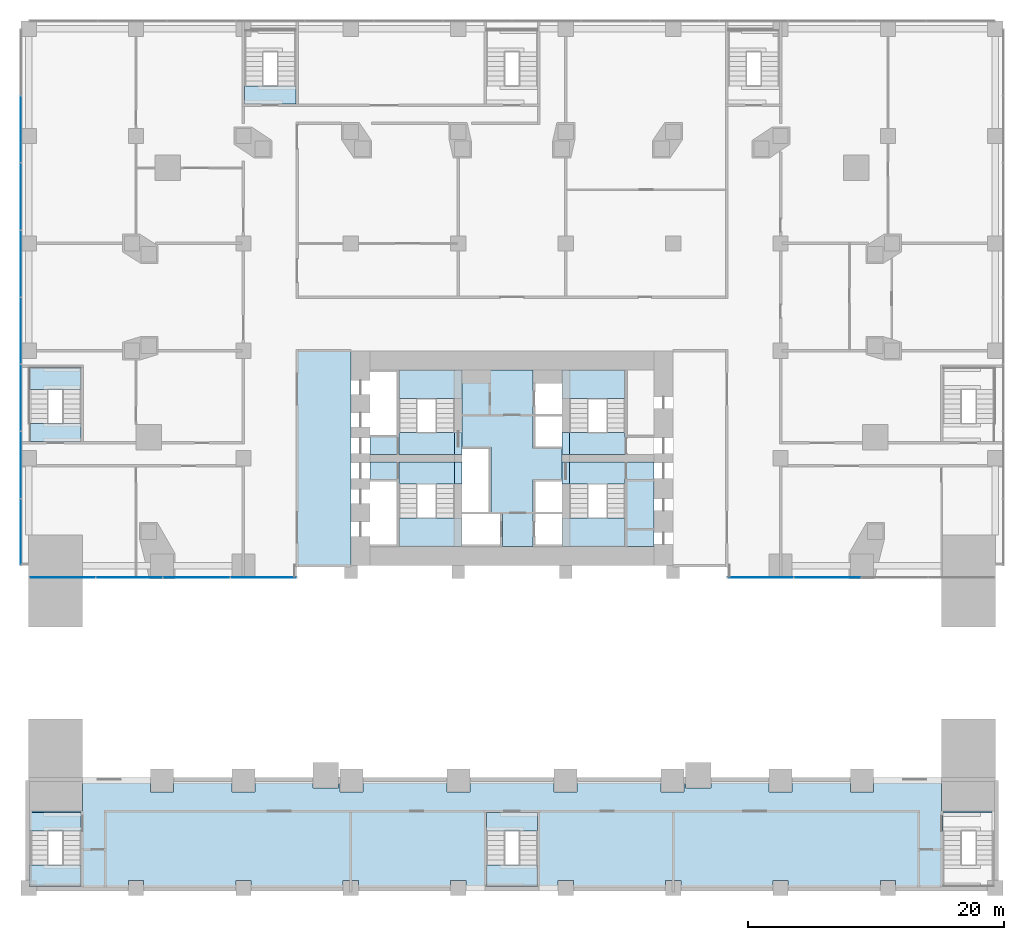
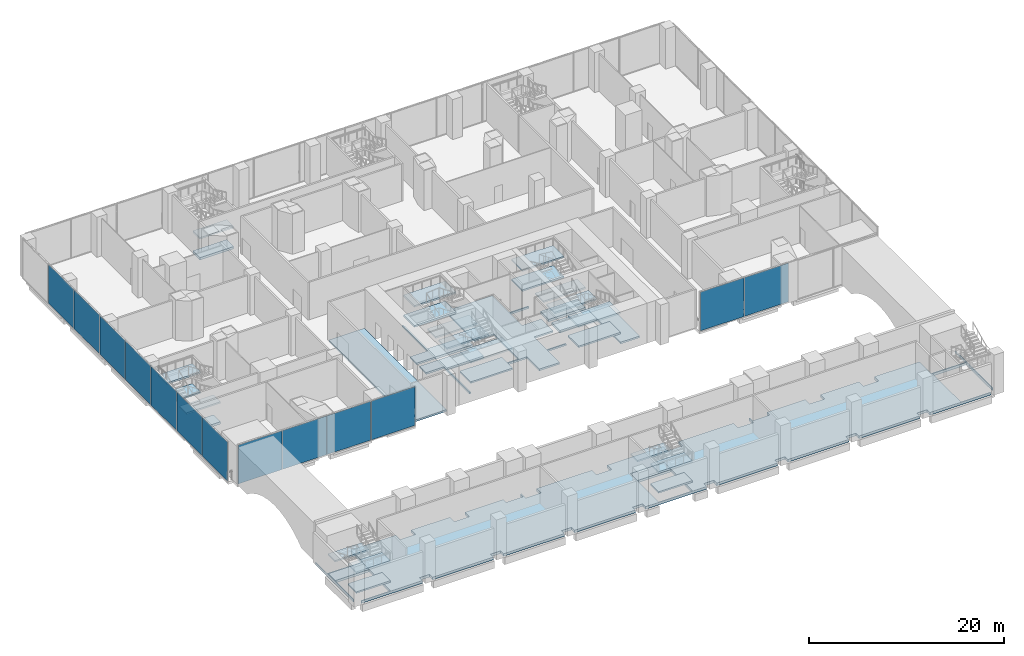
# One storey, part 13 of 28: 36 slabs, 13 plates, 11 elements without a shape of their own.
"""IFC4 building model written with IfcOpenShell, lengths in metres."""

from ifc_helpers import new_model, si_unit, direction, frame, origin, origin_2d, place, context, subcontext, project, spatial, polyline, rectangle, outline, extrude, material, layer, layer_set, type_object, element, aggregate, save


model = new_model("IFC4")

# Units and contexts
model_context = context("Model", 3, precision=1e-05, world=origin(), true_north=direction((0.0, 1.0)))
body_context = subcontext(model_context, "Body", "Model", "MODEL_VIEW")
ifc_project = project(units=[si_unit("LENGTHUNIT", "METRE"), si_unit("AREAUNIT", "SQUARE_METRE"), si_unit("VOLUMEUNIT", "CUBIC_METRE"), si_unit("PLANEANGLEUNIT", "RADIAN"), si_unit("MASSUNIT", "GRAM", prefix="KILO")], contexts=[model_context])

# Site, building, storey
site_placement = place(None, origin())
site = spatial("IfcSite", under=ifc_project, at=site_placement, CompositionType="ELEMENT")
building_placement = place(site_placement, origin())
building = spatial("IfcBuilding", under=site, at=building_placement, Name="Marenta Gate Hotel Tower", CompositionType="ELEMENT")
storey_placement = place(building_placement, frame((0.0, 0.0, 26.0)))
storey = spatial("IfcBuildingStorey", under=building, at=storey_placement, Name="L04", CompositionType="ELEMENT", Elevation=26.0)

# Slabs
ifc_material_1 = material(Name="Concrete C40", Category="concrete")
ifc_layer_1 = layer(ifc_material_1, 0.219970703125)
ifc_layer_set_1 = layer_set([ifc_layer_1], Name="Concrete C40")
slab_type_1 = type_object("IfcSlabType", Name="Core floor slab 220", PredefinedType="FLOOR", material=ifc_layer_set_1)
slab_1_placement = place(storey_placement, frame((0.0, 0.0, -0.219970703125)))
element("IfcSlab", 1, at=slab_1_placement, inside=storey, type_object=slab_type_1, Name="L04-CF-3", PredefinedType="FLOOR", context=body_context, shape_type="SweptSolid", body=[
    extrude(outline(polyline([(11.10009765625, 8.10009765625), (11.10009765625, 1.5), (8.85009765625, 1.5), (8.85009765625, 6.39990234375), (8.85009765625, 8.10009765625), (11.10009765625, 8.10009765625)])), origin(), (0.0, 0.0, 1.0), 0.219970703125),
])
slab_2_placement = place(storey_placement, frame((0.0, 0.0, -0.219970703125)))
element("IfcSlab", 2, at=slab_2_placement, inside=storey, type_object=slab_type_1, Name="L04-CF-4", PredefinedType="FLOOR", context=body_context, shape_type="SweptSolid", body=[
    extrude(outline(polyline([(1.64990234375, 14.25), (1.64990234375, 11.85009765625), (1.800048828125, 11.85009765625), (3.89990234375, 11.85009765625), (3.89990234375, 11.699951171875), (1.800048828125, 11.699951171875), (1.64990234375, 11.699951171875), (1.64990234375, 9.300048828125), (1.64990234375, 9.14990234375), (3.89990234375, 9.14990234375), (3.89990234375, 9.300048828125), (3.89990234375, 10.39990234375), (3.89990234375, 10.39990234375), (3.89990234375, 6.39990234375), (3.89990234375, 6.39990234375), (3.89990234375, 6.60009765625), (3.89990234375, 6.75), (1.64990234375, 6.75), (1.64990234375, 6.60009765625), (1.64990234375, 4.199951171875), (1.800048828125, 4.199951171875), (3.89990234375, 4.199951171875), (3.89990234375, 4.050048828125), (1.800048828125, 4.050048828125), (1.64990234375, 4.050048828125), (1.64990234375, 1.64990234375), (1.64990234375, 1.5), (-0.75, 1.5), (-0.75, 4.050048828125), (-0.89990234375, 4.050048828125), (-3.89990234375, 4.050048828125), (-3.89990234375, 4.199951171875), (-1.800048828125, 4.199951171875), (-1.64990234375, 4.199951171875), (-1.64990234375, 9.14990234375), (-1.64990234375, 9.300048828125), (-3.89990234375, 9.300048828125), (-3.89990234375, 9.14990234375), (-3.89990234375, 6.75), (-3.89990234375, 6.60009765625), (-3.89990234375, 6.39990234375), (-3.89990234375, 6.39990234375), (-3.89990234375, 10.39990234375), (-3.89990234375, 10.39990234375), (-3.89990234375, 15.300048828125), (1.64990234375, 15.300048828125), (1.64990234375, 14.25)])), origin(), (0.0, 0.0, 1.0), 0.219970703125),
])
slab_3_placement = place(storey_placement, frame((0.0, 0.0, -0.219970703125)))
element("IfcSlab", 3, at=slab_3_placement, inside=storey, type_object=slab_type_1, Name="L04-CF-5", PredefinedType="FLOOR", context=body_context, shape_type="SweptSolid", body=[
    extrude(outline(polyline([(-8.85009765625, 8.10009765625), (-8.85009765625, 6.39990234375), (-8.85009765625, 1.5), (-9.0, 1.5), (-9.0, 1.64990234375), (-9.0, 4.050048828125), (-9.0, 4.199951171875), (-9.0, 6.60009765625), (-9.0, 6.75), (-11.10009765625, 6.75), (-11.10009765625, 8.10009765625), (-8.85009765625, 8.10009765625)])), origin(), (0.0, 0.0, 1.0), 0.219970703125),
])
slab_4_placement = place(storey_placement, frame((0.0, 0.0, -0.219970703125)))
element("IfcSlab", 4, at=slab_4_placement, inside=storey, type_object=slab_type_1, Name="L04-CF-6", PredefinedType="FLOOR", context=body_context, shape_type="SweptSolid", body=[
    extrude(outline(polyline([(-8.85009765625, 10.39990234375), (-8.85009765625, 8.699951171875), (-11.10009765625, 8.699951171875), (-11.10009765625, 10.050048828125), (-9.0, 10.050048828125), (-9.0, 10.199951171875), (-9.0, 12.60009765625), (-9.0, 12.75), (-9.0, 15.14990234375), (-9.0, 15.300048828125), (-8.85009765625, 15.300048828125), (-8.85009765625, 10.39990234375)])), origin(), (0.0, 0.0, 1.0), 0.219970703125),
])
slab_5_placement = place(storey_placement, frame((0.0, 0.0, -0.219970703125)))
element("IfcSlab", 5, at=slab_5_placement, inside=storey, type_object=slab_type_1, Name="L04-CF-7", PredefinedType="FLOOR", context=body_context, shape_type="SweptSolid", body=[
    extrude(outline(polyline([(-12.60009765625, 16.800048828125), (-12.60009765625, 0.0), (-16.800048828125, 0.0), (-16.800048828125, 16.800048828125), (-12.60009765625, 16.800048828125)])), origin(), (0.0, 0.0, 1.0), 0.219970703125),
])

# Stair, slabs
ifc_material_2 = material(Name="Concrete C40", Category="concrete")
stair_type_1 = type_object("IfcStairType", Name="Core exit stair 1430 wide", PredefinedType="HALF_TURN_STAIR", material=ifc_material_2)
stair_1_placement = place(storey_placement, origin())
stair_1 = element("IfcStair", 6, at=stair_1_placement, inside=storey, type_object=stair_type_1, Name="Exit stair 1", PredefinedType="HALF_TURN_STAIR")
ifc_material_3 = material(Name="Concrete C40", Category="concrete")
ifc_layer_2 = layer(ifc_material_3, 0.199951171875)
ifc_layer_set_2 = layer_set([ifc_layer_2], Name="Concrete C40")
slab_type_2 = type_object("IfcSlabType", Name="Core stair landing 200", PredefinedType="LANDING", material=ifc_layer_set_2)
slab_6_placement = place(storey_placement, frame((0.0, 0.0, 1.050048828125)))
slab_6 = element("IfcSlab", 7, at=slab_6_placement, type_object=slab_type_2, Name="SL-200 ST1 landing 1", PredefinedType="LANDING", context=body_context, shape_type="SweptSolid", body=[
    extrude(outline(polyline([(-8.85009765625, 1.5), (-3.89990234375, 1.5), (-3.89990234375, 3.739990234375), (-8.85009765625, 3.739990234375), (-8.85009765625, 1.5)])), origin(), (0.0, 0.0, 1.0), 0.199951171875),
])
slab_7_placement = place(storey_placement, frame((0.0, 0.0, 2.300048828125)))
slab_7 = element("IfcSlab", 8, at=slab_7_placement, type_object=slab_type_2, Name="SL-200 ST1 landing 2", PredefinedType="LANDING", context=body_context, shape_type="SweptSolid", body=[
    extrude(outline(polyline([(-8.85009765625, 6.39990234375), (-3.89990234375, 6.39990234375), (-3.89990234375, 8.10009765625), (-8.85009765625, 8.10009765625), (-8.85009765625, 6.39990234375)])), origin(), (0.0, 0.0, 1.0), 0.199951171875),
])
slab_8_placement = place(storey_placement, frame((0.0, 0.0, 3.550048828125)))
slab_8 = element("IfcSlab", 9, at=slab_8_placement, type_object=slab_type_2, Name="SL-200 ST1 landing 3", PredefinedType="LANDING", context=body_context, shape_type="SweptSolid", body=[
    extrude(outline(polyline([(-8.85009765625, 1.5), (-3.89990234375, 1.5), (-3.89990234375, 3.739990234375), (-8.85009765625, 3.739990234375), (-8.85009765625, 1.5)])), origin(), (0.0, 0.0, 1.0), 0.199951171875),
])
aggregate(stair_1, [slab_6, slab_7, slab_8])

stair_2_placement = place(storey_placement, origin())
stair_2 = element("IfcStair", 10, at=stair_2_placement, inside=storey, type_object=stair_type_1, Name="Exit stair 2", PredefinedType="HALF_TURN_STAIR")
slab_9_placement = place(storey_placement, frame((0.0, 0.0, 1.050048828125)))
slab_9 = element("IfcSlab", 11, at=slab_9_placement, type_object=slab_type_2, Name="SL-200 ST2 landing 1", PredefinedType="LANDING", context=body_context, shape_type="SweptSolid", body=[
    extrude(outline(polyline([(-8.85009765625, 13.06005859375), (-3.89990234375, 13.06005859375), (-3.89990234375, 15.300048828125), (-8.85009765625, 15.300048828125), (-8.85009765625, 13.06005859375)])), origin(), (0.0, 0.0, 1.0), 0.199951171875),
])
slab_10_placement = place(storey_placement, frame((0.0, 0.0, 2.300048828125)))
slab_10 = element("IfcSlab", 12, at=slab_10_placement, type_object=slab_type_2, Name="SL-200 ST2 landing 2", PredefinedType="LANDING", context=body_context, shape_type="SweptSolid", body=[
    extrude(outline(polyline([(-8.85009765625, 8.699951171875), (-3.89990234375, 8.699951171875), (-3.89990234375, 10.39990234375), (-8.85009765625, 10.39990234375), (-8.85009765625, 8.699951171875)])), origin(), (0.0, 0.0, 1.0), 0.199951171875),
])
slab_11_placement = place(storey_placement, frame((0.0, 0.0, 3.550048828125)))
slab_11 = element("IfcSlab", 13, at=slab_11_placement, type_object=slab_type_2, Name="SL-200 ST2 landing 3", PredefinedType="LANDING", context=body_context, shape_type="SweptSolid", body=[
    extrude(outline(polyline([(-8.85009765625, 13.06005859375), (-3.89990234375, 13.06005859375), (-3.89990234375, 15.300048828125), (-8.85009765625, 15.300048828125), (-8.85009765625, 13.06005859375)])), origin(), (0.0, 0.0, 1.0), 0.199951171875),
])
aggregate(stair_2, [slab_9, slab_10, slab_11])

stair_3_placement = place(storey_placement, origin())
stair_3 = element("IfcStair", 14, at=stair_3_placement, inside=storey, type_object=stair_type_1, Name="Exit stair 3", PredefinedType="HALF_TURN_STAIR")
slab_12_placement = place(storey_placement, frame((0.0, 0.0, 1.050048828125)))
slab_12 = element("IfcSlab", 15, at=slab_12_placement, type_object=slab_type_2, Name="SL-200 ST3 landing 1", PredefinedType="LANDING", context=body_context, shape_type="SweptSolid", body=[
    extrude(outline(polyline([(3.89990234375, 1.5), (8.85009765625, 1.5), (8.85009765625, 3.739990234375), (3.89990234375, 3.739990234375), (3.89990234375, 1.5)])), origin(), (0.0, 0.0, 1.0), 0.199951171875),
])
slab_13_placement = place(storey_placement, frame((0.0, 0.0, 2.300048828125)))
slab_13 = element("IfcSlab", 16, at=slab_13_placement, type_object=slab_type_2, Name="SL-200 ST3 landing 2", PredefinedType="LANDING", context=body_context, shape_type="SweptSolid", body=[
    extrude(outline(polyline([(3.89990234375, 6.39990234375), (8.85009765625, 6.39990234375), (8.85009765625, 8.10009765625), (3.89990234375, 8.10009765625), (3.89990234375, 6.39990234375)])), origin(), (0.0, 0.0, 1.0), 0.199951171875),
])
slab_14_placement = place(storey_placement, frame((0.0, 0.0, 3.550048828125)))
slab_14 = element("IfcSlab", 17, at=slab_14_placement, type_object=slab_type_2, Name="SL-200 ST3 landing 3", PredefinedType="LANDING", context=body_context, shape_type="SweptSolid", body=[
    extrude(outline(polyline([(3.89990234375, 1.5), (8.85009765625, 1.5), (8.85009765625, 3.739990234375), (3.89990234375, 3.739990234375), (3.89990234375, 1.5)])), origin(), (0.0, 0.0, 1.0), 0.199951171875),
])
aggregate(stair_3, [slab_12, slab_13, slab_14])

stair_4_placement = place(storey_placement, origin())
stair_4 = element("IfcStair", 18, at=stair_4_placement, inside=storey, type_object=stair_type_1, Name="Exit stair 4", PredefinedType="HALF_TURN_STAIR")
slab_15_placement = place(storey_placement, frame((0.0, 0.0, 1.050048828125)))
slab_15 = element("IfcSlab", 19, at=slab_15_placement, type_object=slab_type_2, Name="SL-200 ST4 landing 1", PredefinedType="LANDING", context=body_context, shape_type="SweptSolid", body=[
    extrude(outline(polyline([(3.89990234375, 13.06005859375), (8.85009765625, 13.06005859375), (8.85009765625, 15.300048828125), (3.89990234375, 15.300048828125), (3.89990234375, 13.06005859375)])), origin(), (0.0, 0.0, 1.0), 0.199951171875),
])
slab_16_placement = place(storey_placement, frame((0.0, 0.0, 2.300048828125)))
slab_16 = element("IfcSlab", 20, at=slab_16_placement, type_object=slab_type_2, Name="SL-200 ST4 landing 2", PredefinedType="LANDING", context=body_context, shape_type="SweptSolid", body=[
    extrude(outline(polyline([(3.89990234375, 8.699951171875), (8.85009765625, 8.699951171875), (8.85009765625, 10.39990234375), (3.89990234375, 10.39990234375), (3.89990234375, 8.699951171875)])), origin(), (0.0, 0.0, 1.0), 0.199951171875),
])
slab_17_placement = place(storey_placement, frame((0.0, 0.0, 3.550048828125)))
slab_17 = element("IfcSlab", 21, at=slab_17_placement, type_object=slab_type_2, Name="SL-200 ST4 landing 3", PredefinedType="LANDING", context=body_context, shape_type="SweptSolid", body=[
    extrude(outline(polyline([(3.89990234375, 13.06005859375), (8.85009765625, 13.06005859375), (8.85009765625, 15.300048828125), (3.89990234375, 15.300048828125), (3.89990234375, 13.06005859375)])), origin(), (0.0, 0.0, 1.0), 0.199951171875),
])
aggregate(stair_4, [slab_15, slab_16, slab_17])

ifc_material_4 = material(Name="Concrete C40", Category="concrete")
stair_type_2 = type_object("IfcStairType", Name="Podium exit stair 1430 wide", PredefinedType="HALF_TURN_STAIR", material=ifc_material_4)
stair_5_placement = place(storey_placement, origin())
stair_5 = element("IfcStair", 22, at=stair_5_placement, inside=storey, type_object=stair_type_2, Name="Podium exit stair 1", PredefinedType="HALF_TURN_STAIR")
slab_18_placement = place(storey_placement, frame((0.0, 0.0, 1.050048828125)))
slab_18 = element("IfcSlab", 23, at=slab_18_placement, type_object=slab_type_2, Name="SL-200 PX1 landing 1", PredefinedType="LANDING", context=body_context, shape_type="SweptSolid", body=[
    extrude(outline(polyline([(-37.739990234375, -25.10009765625), (-33.699951171875, -25.10009765625), (-33.699951171875, -23.389892578125), (-37.739990234375, -23.389892578125), (-37.739990234375, -25.10009765625)])), origin(), (0.0, 0.0, 1.0), 0.199951171875),
])
slab_19_placement = place(storey_placement, frame((0.0, 0.0, 2.300048828125)))
slab_19 = element("IfcSlab", 24, at=slab_19_placement, type_object=slab_type_2, Name="SL-200 PX1 landing 2", PredefinedType="LANDING", context=body_context, shape_type="SweptSolid", body=[
    extrude(outline(polyline([(-37.739990234375, -20.72998046875), (-33.699951171875, -20.72998046875), (-33.699951171875, -19.300048828125), (-37.739990234375, -19.300048828125), (-37.739990234375, -20.72998046875)])), origin(), (0.0, 0.0, 1.0), 0.199951171875),
])
slab_20_placement = place(storey_placement, frame((0.0, 0.0, 3.550048828125)))
slab_20 = element("IfcSlab", 25, at=slab_20_placement, type_object=slab_type_2, Name="SL-200 PX1 landing 3", PredefinedType="LANDING", context=body_context, shape_type="SweptSolid", body=[
    extrude(outline(polyline([(-37.739990234375, -25.10009765625), (-33.699951171875, -25.10009765625), (-33.699951171875, -23.389892578125), (-37.739990234375, -23.389892578125), (-37.739990234375, -25.10009765625)])), origin(), (0.0, 0.0, 1.0), 0.199951171875),
])
aggregate(stair_5, [slab_18, slab_19, slab_20])

# Stair, slab
stair_6_placement = place(storey_placement, origin())
stair_6 = element("IfcStair", 26, at=stair_6_placement, inside=storey, type_object=stair_type_2, Name="Podium exit stair 3", PredefinedType="HALF_TURN_STAIR")
slab_21_placement = place(storey_placement, frame((0.0, 0.0, 2.300048828125)))
slab_21 = element("IfcSlab", 27, at=slab_21_placement, type_object=slab_type_2, Name="SL-200 PX3 landing 2", PredefinedType="LANDING", context=body_context, shape_type="SweptSolid", body=[
    extrude(outline(polyline([(-20.89990234375, 36.10009765625), (-16.89990234375, 36.10009765625), (-16.89990234375, 37.530029296875), (-20.89990234375, 37.530029296875), (-20.89990234375, 36.10009765625)])), origin(), (0.0, 0.0, 1.0), 0.199951171875),
])
aggregate(stair_6, [slab_21])

# Stair, slabs
stair_7_placement = place(storey_placement, origin())
stair_7 = element("IfcStair", 28, at=stair_7_placement, inside=storey, type_object=stair_type_2, Name="Podium exit stair 5", PredefinedType="HALF_TURN_STAIR")
slab_22_placement = place(storey_placement, frame((0.0, 0.0, 1.050048828125)))
slab_22 = element("IfcSlab", 29, at=slab_22_placement, type_object=slab_type_2, Name="SL-200 PX5 landing 1", PredefinedType="LANDING", context=body_context, shape_type="SweptSolid", body=[
    extrude(outline(polyline([(-2.0, -25.10009765625), (2.0, -25.10009765625), (2.0, -23.389892578125), (-2.0, -23.389892578125), (-2.0, -25.10009765625)])), origin(), (0.0, 0.0, 1.0), 0.199951171875),
])
slab_23_placement = place(storey_placement, frame((0.0, 0.0, 2.300048828125)))
slab_23 = element("IfcSlab", 30, at=slab_23_placement, type_object=slab_type_2, Name="SL-200 PX5 landing 2", PredefinedType="LANDING", context=body_context, shape_type="SweptSolid", body=[
    extrude(outline(polyline([(-2.0, -20.72998046875), (2.0, -20.72998046875), (2.0, -19.300048828125), (-2.0, -19.300048828125), (-2.0, -20.72998046875)])), origin(), (0.0, 0.0, 1.0), 0.199951171875),
])
slab_24_placement = place(storey_placement, frame((0.0, 0.0, 3.550048828125)))
slab_24 = element("IfcSlab", 31, at=slab_24_placement, type_object=slab_type_2, Name="SL-200 PX5 landing 3", PredefinedType="LANDING", context=body_context, shape_type="SweptSolid", body=[
    extrude(outline(polyline([(-2.0, -25.10009765625), (2.0, -25.10009765625), (2.0, -23.389892578125), (-2.0, -23.389892578125), (-2.0, -25.10009765625)])), origin(), (0.0, 0.0, 1.0), 0.199951171875),
])
aggregate(stair_7, [slab_22, slab_23, slab_24])

stair_8_placement = place(storey_placement, origin())
stair_8 = element("IfcStair", 32, at=stair_8_placement, inside=storey, type_object=stair_type_2, Name="Podium exit stair 6", PredefinedType="HALF_TURN_STAIR")
slab_25_placement = place(storey_placement, frame((0.0, 0.0, 1.050048828125)))
slab_25 = element("IfcSlab", 33, at=slab_25_placement, type_object=slab_type_2, Name="SL-200 PX6 landing 1", PredefinedType="LANDING", context=body_context, shape_type="SweptSolid", body=[
    extrude(outline(polyline([(-37.739990234375, 13.7900390625), (-33.699951171875, 13.7900390625), (-33.699951171875, 15.5), (-37.739990234375, 15.5), (-37.739990234375, 13.7900390625)])), origin(), (0.0, 0.0, 1.0), 0.199951171875),
])
slab_26_placement = place(storey_placement, frame((0.0, 0.0, 2.300048828125)))
slab_26 = element("IfcSlab", 34, at=slab_26_placement, type_object=slab_type_2, Name="SL-200 PX6 landing 2", PredefinedType="LANDING", context=body_context, shape_type="SweptSolid", body=[
    extrude(outline(polyline([(-37.739990234375, 9.699951171875), (-33.699951171875, 9.699951171875), (-33.699951171875, 11.1298828125), (-37.739990234375, 11.1298828125), (-37.739990234375, 9.699951171875)])), origin(), (0.0, 0.0, 1.0), 0.199951171875),
])
slab_27_placement = place(storey_placement, frame((0.0, 0.0, 3.550048828125)))
slab_27 = element("IfcSlab", 35, at=slab_27_placement, type_object=slab_type_2, Name="SL-200 PX6 landing 3", PredefinedType="LANDING", context=body_context, shape_type="SweptSolid", body=[
    extrude(outline(polyline([(-37.739990234375, 13.7900390625), (-33.699951171875, 13.7900390625), (-33.699951171875, 15.5), (-37.739990234375, 15.5), (-37.739990234375, 13.7900390625)])), origin(), (0.0, 0.0, 1.0), 0.199951171875),
])
aggregate(stair_8, [slab_25, slab_26, slab_27])

# Curtain wall, plates
ifc_material_5 = material(Name="Tinted insulated glass in bronze anodised frame", Category="glass")
ifc_layer_3 = layer(ifc_material_5, 0.1201171875)
ifc_layer_set_3 = layer_set([ifc_layer_3], Name="Tinted insulated glass in bronze anodised frame")
curtain_wall_type = type_object("IfcCurtainWallType", Name="Wellness glazing CW7", PredefinedType="NOTDEFINED", material=ifc_layer_set_3)
curtain_wall_1_placement = place(storey_placement, origin())
curtain_wall_1 = element("IfcCurtainWall", 36, at=curtain_wall_1_placement, inside=storey, type_object=curtain_wall_type, Name="CW7 run NB-S000", PredefinedType="NOTDEFINED")
ifc_material_6 = material(Name="Tinted insulated glass", Category="glass")
ifc_layer_4 = layer(ifc_material_6, 0.030029296875)
ifc_layer_set_4 = layer_set([ifc_layer_4], Name="Tinted insulated glass")
plate_type = type_object("IfcPlateType", Name="Glass panel CW7 30 mm tinted insulated unit", PredefinedType="CURTAIN_PANEL", material=ifc_layer_set_4)
plate_1_placement = place(storey_placement, frame((-35.15625, -0.9140625, 0.074951171875), z_axis=(0.0, 0.0, 1.0), x_axis=(1.0, 0.0, 0.0)))
plate_1 = element("IfcPlate", 37, at=plate_1_placement, type_object=plate_type, Name="CW7 panel 1.1", PredefinedType="CURTAIN_PANEL", context=body_context, shape_type="SweptSolid", body=[
    extrude(rectangle(XDim=5.137451171875, YDim=0.030029296875, at=origin_2d()), origin(), (0.0, 0.0, 1.0), 4.85009765625),
])
plate_2_placement = place(storey_placement, frame((-29.925048828125, -0.9140625, 0.074951171875), z_axis=(0.0, 0.0, 1.0), x_axis=(1.0, 0.0, 0.0)))
plate_2 = element("IfcPlate", 38, at=plate_2_placement, type_object=plate_type, Name="CW7 panel 2.1", PredefinedType="CURTAIN_PANEL", context=body_context, shape_type="SweptSolid", body=[
    extrude(rectangle(XDim=5.175048828125, YDim=0.030029296875, at=origin_2d()), origin(), (0.0, 0.0, 1.0), 4.85009765625),
])
plate_3_placement = place(storey_placement, frame((-24.675048828125, -0.9140625, 0.074951171875), z_axis=(0.0, 0.0, 1.0), x_axis=(1.0, 0.0, 0.0)))
plate_3 = element("IfcPlate", 39, at=plate_3_placement, type_object=plate_type, Name="CW7 panel 3.1", PredefinedType="CURTAIN_PANEL", context=body_context, shape_type="SweptSolid", body=[
    extrude(rectangle(XDim=5.175048828125, YDim=0.030029296875, at=origin_2d()), origin(), (0.0, 0.0, 1.0), 4.85009765625),
])
plate_4_placement = place(storey_placement, frame((-19.44384765625, -0.9140625, 0.074951171875), z_axis=(0.0, 0.0, 1.0), x_axis=(1.0, 0.0, 0.0)))
plate_4 = element("IfcPlate", 40, at=plate_4_placement, type_object=plate_type, Name="CW7 panel 4.1", PredefinedType="CURTAIN_PANEL", context=body_context, shape_type="SweptSolid", body=[
    extrude(rectangle(XDim=5.137451171875, YDim=0.030029296875, at=origin_2d()), origin(), (0.0, 0.0, 1.0), 4.85009765625),
])
aggregate(curtain_wall_1, [plate_1, plate_2, plate_3, plate_4])

curtain_wall_2_placement = place(storey_placement, origin())
curtain_wall_2 = element("IfcCurtainWall", 41, at=curtain_wall_2_placement, inside=storey, type_object=curtain_wall_type, Name="CW7 run NB-S100", PredefinedType="NOTDEFINED")
plate_5_placement = place(storey_placement, frame((19.44384765625, -0.9140625, 0.074951171875), z_axis=(0.0, 0.0, 1.0), x_axis=(1.0, 0.0, 0.0)))
plate_5 = element("IfcPlate", 42, at=plate_5_placement, type_object=plate_type, Name="CW7 panel 1.1", PredefinedType="CURTAIN_PANEL", context=body_context, shape_type="SweptSolid", body=[
    extrude(rectangle(XDim=5.137451171875, YDim=0.030029296875, at=origin_2d()), origin(), (0.0, 0.0, 1.0), 4.85009765625),
])
plate_6_placement = place(storey_placement, frame((24.675048828125, -0.9140625, 0.074951171875), z_axis=(0.0, 0.0, 1.0), x_axis=(1.0, 0.0, 0.0)))
plate_6 = element("IfcPlate", 43, at=plate_6_placement, type_object=plate_type, Name="CW7 panel 2.1", PredefinedType="CURTAIN_PANEL", context=body_context, shape_type="SweptSolid", body=[
    extrude(rectangle(XDim=5.175048828125, YDim=0.030029296875, at=origin_2d()), origin(), (0.0, 0.0, 1.0), 4.85009765625),
])
aggregate(curtain_wall_2, [plate_5, plate_6])

curtain_wall_3_placement = place(storey_placement, origin())
curtain_wall_3 = element("IfcCurtainWall", 44, at=curtain_wall_3_placement, inside=storey, type_object=curtain_wall_type, Name="CW7 run NB-W000", PredefinedType="NOTDEFINED")
plate_7_placement = place(storey_placement, frame((-38.4140625, 34.125, 0.074951171875), z_axis=(0.0, 0.0, 1.0), x_axis=(0.0, -1.0, 0.0)))
plate_7 = element("IfcPlate", 45, at=plate_7_placement, type_object=plate_type, Name="CW7 panel 2.1", PredefinedType="CURTAIN_PANEL", context=body_context, shape_type="SweptSolid", body=[
    extrude(rectangle(XDim=5.175048828125, YDim=0.030029296875, at=origin_2d()), origin(), (0.0, 0.0, 1.0), 4.85009765625),
])
plate_8_placement = place(storey_placement, frame((-38.4140625, 28.875, 0.074951171875), z_axis=(0.0, 0.0, 1.0), x_axis=(0.0, -1.0, 0.0)))
plate_8 = element("IfcPlate", 46, at=plate_8_placement, type_object=plate_type, Name="CW7 panel 3.1", PredefinedType="CURTAIN_PANEL", context=body_context, shape_type="SweptSolid", body=[
    extrude(rectangle(XDim=5.175048828125, YDim=0.030029296875, at=origin_2d()), origin(), (0.0, 0.0, 1.0), 4.85009765625),
])
plate_9_placement = place(storey_placement, frame((-38.4140625, 23.625, 0.074951171875), z_axis=(0.0, 0.0, 1.0), x_axis=(0.0, -1.0, 0.0)))
plate_9 = element("IfcPlate", 47, at=plate_9_placement, type_object=plate_type, Name="CW7 panel 4.1", PredefinedType="CURTAIN_PANEL", context=body_context, shape_type="SweptSolid", body=[
    extrude(rectangle(XDim=5.175048828125, YDim=0.030029296875, at=origin_2d()), origin(), (0.0, 0.0, 1.0), 4.85009765625),
])
plate_10_placement = place(storey_placement, frame((-38.4140625, 18.375, 0.074951171875), z_axis=(0.0, 0.0, 1.0), x_axis=(0.0, -1.0, 0.0)))
plate_10 = element("IfcPlate", 48, at=plate_10_placement, type_object=plate_type, Name="CW7 panel 5.1", PredefinedType="CURTAIN_PANEL", context=body_context, shape_type="SweptSolid", body=[
    extrude(rectangle(XDim=5.175048828125, YDim=0.030029296875, at=origin_2d()), origin(), (0.0, 0.0, 1.0), 4.85009765625),
])
plate_11_placement = place(storey_placement, frame((-38.4140625, 13.125, 0.074951171875), z_axis=(0.0, 0.0, 1.0), x_axis=(0.0, -1.0, 0.0)))
plate_11 = element("IfcPlate", 49, at=plate_11_placement, type_object=plate_type, Name="CW7 panel 6.1", PredefinedType="CURTAIN_PANEL", context=body_context, shape_type="SweptSolid", body=[
    extrude(rectangle(XDim=5.175048828125, YDim=0.030029296875, at=origin_2d()), origin(), (0.0, 0.0, 1.0), 4.85009765625),
])
plate_12_placement = place(storey_placement, frame((-38.4140625, 7.875, 0.074951171875), z_axis=(0.0, 0.0, 1.0), x_axis=(0.0, -1.0, 0.0)))
plate_12 = element("IfcPlate", 50, at=plate_12_placement, type_object=plate_type, Name="CW7 panel 7.1", PredefinedType="CURTAIN_PANEL", context=body_context, shape_type="SweptSolid", body=[
    extrude(rectangle(XDim=5.175048828125, YDim=0.030029296875, at=origin_2d()), origin(), (0.0, 0.0, 1.0), 4.85009765625),
])
plate_13_placement = place(storey_placement, frame((-38.4140625, 2.643798828125, 0.074951171875), z_axis=(0.0, 0.0, 1.0), x_axis=(0.0, -1.0, 0.0)))
plate_13 = element("IfcPlate", 51, at=plate_13_placement, type_object=plate_type, Name="CW7 panel 8.1", PredefinedType="CURTAIN_PANEL", context=body_context, shape_type="SweptSolid", body=[
    extrude(rectangle(XDim=5.137451171875, YDim=0.030029296875, at=origin_2d()), origin(), (0.0, 0.0, 1.0), 4.85009765625),
])
aggregate(curtain_wall_3, [plate_7, plate_8, plate_9, plate_10, plate_11, plate_12, plate_13])

# Slabs
ifc_material_7 = material(Name="Concrete C40", Category="concrete")
ifc_layer_5 = layer(ifc_material_7, 0.320068359375)
ifc_layer_set_5 = layer_set([ifc_layer_5], Name="Concrete C40")
slab_type_3 = type_object("IfcSlabType", Name="Podium flat slab 320 C40", PredefinedType="FLOOR", material=ifc_layer_set_5)
slab_28_placement = place(storey_placement, frame((0.0, 0.0, -0.320068359375)))
element("IfcSlab", 52, at=slab_28_placement, inside=storey, type_object=slab_type_3, Name="PS1 L04-PSL-2", PredefinedType="FLOOR", context=body_context, shape_type="SweptSolid", body=[
    extrude(outline(polyline([(30.0, -25.199951171875), (37.199951171875, -25.199951171875), (37.199951171875, -25.10009765625), (33.699951171875, -25.10009765625), (33.699951171875, -19.300048828125), (37.699951171875, -19.300048828125), (37.699951171875, -24.60009765625), (37.800048828125, -24.60009765625), (37.800048828125, -16.800048828125), (37.7900390625, -16.800048828125), (37.7900390625, -19.199951171875), (33.60009765625, -19.199951171875), (33.60009765625, -16.800048828125), (28.262939453125, -16.800048828125), (28.262939453125, -17.699951171875), (26.462890625, -17.699951171875), (26.462890625, -16.800048828125), (21.89990234375, -16.800048828125), (21.89990234375, -17.699951171875), (20.10009765625, -17.699951171875), (20.10009765625, -16.800048828125), (15.56640625, -16.800048828125), (15.56640625, -17.374755859375), (13.56640625, -17.374755859375), (13.56640625, -16.800048828125), (13.4462890625, -16.800048828125), (13.4462890625, -17.699951171875), (11.646240234375, -17.699951171875), (11.646240234375, -16.800048828125), (5.10009765625, -16.800048828125), (5.10009765625, -17.699951171875), (3.300048828125, -17.699951171875), (3.300048828125, -16.800048828125), (-3.300048828125, -16.800048828125), (-3.300048828125, -17.699951171875), (-5.10009765625, -17.699951171875), (-5.10009765625, -16.800048828125), (-11.646240234375, -16.800048828125), (-11.646240234375, -17.699951171875), (-13.4462890625, -17.699951171875), (-13.4462890625, -16.800048828125), (-13.56640625, -16.800048828125), (-13.56640625, -17.374755859375), (-15.56640625, -17.374755859375), (-15.56640625, -16.800048828125), (-20.10009765625, -16.800048828125), (-20.10009765625, -17.699951171875), (-21.89990234375, -17.699951171875), (-21.89990234375, -16.800048828125), (-26.462890625, -16.800048828125), (-26.462890625, -17.699951171875), (-28.262939453125, -17.699951171875), (-28.262939453125, -16.800048828125), (-33.60009765625, -16.800048828125), (-33.60009765625, -19.199951171875), (-37.7900390625, -19.199951171875), (-37.7900390625, -16.800048828125), (-37.800048828125, -16.800048828125), (-37.800048828125, -24.60009765625), (-37.699951171875, -24.60009765625), (-37.699951171875, -19.300048828125), (-33.699951171875, -19.300048828125), (-33.699951171875, -25.10009765625), (-37.199951171875, -25.10009765625), (-37.199951171875, -25.199951171875), (-30.0, -25.199951171875), (-30.0, -24.60009765625), (-28.800048828125, -24.60009765625), (-28.800048828125, -25.199951171875), (-21.60009765625, -25.199951171875), (-21.60009765625, -24.60009765625), (-20.39990234375, -24.60009765625), (-20.39990234375, -25.199951171875), (-13.199951171875, -25.199951171875), (-13.199951171875, -24.60009765625), (-12.0, -24.60009765625), (-12.0, -25.199951171875), (-4.800048828125, -25.199951171875), (-4.800048828125, -24.60009765625), (-3.60009765625, -24.60009765625), (-3.60009765625, -25.199951171875), (3.60009765625, -25.199951171875), (3.60009765625, -24.60009765625), (4.800048828125, -24.60009765625), (4.800048828125, -25.199951171875), (12.0, -25.199951171875), (12.0, -24.60009765625), (13.199951171875, -24.60009765625), (13.199951171875, -25.199951171875), (20.39990234375, -25.199951171875), (20.39990234375, -24.60009765625), (21.60009765625, -24.60009765625), (21.60009765625, -25.199951171875), (28.800048828125, -25.199951171875), (28.800048828125, -24.60009765625), (30.0, -24.60009765625), (30.0, -25.199951171875)]), holes=[polyline([(-2.0, -25.10009765625), (-2.0, -19.300048828125), (2.0, -19.300048828125), (2.0, -25.10009765625), (-2.0, -25.10009765625)])]), origin(), (0.0, 0.0, 1.0), 0.320068359375),
])
ifc_material_8 = material(Name="Concrete C40", Category="concrete")
ifc_layer_6 = layer(ifc_material_8, 0.300048828125)
ifc_layer_set_6 = layer_set([ifc_layer_6], Name="Concrete C40")
slab_type_4 = type_object("IfcSlabType", Name="Stair floor landing slab 300", PredefinedType="FLOOR", material=ifc_layer_set_6)
slab_29_placement = place(storey_placement, frame((0.0, 0.0, -0.300048828125)))
element("IfcSlab", 53, at=slab_29_placement, inside=storey, type_object=slab_type_4, Name="L04-CL-ST1-1", PredefinedType="FLOOR", context=body_context, shape_type="SweptSolid", body=[
    extrude(outline(polyline([(-4.5, 6.39990234375), (-8.85009765625, 6.39990234375), (-8.85009765625, 8.10009765625), (-4.5, 8.10009765625), (-4.5, 6.39990234375)])), origin(), (0.0, 0.0, 1.0), 0.300048828125),
])
slab_30_placement = place(storey_placement, frame((0.0, 0.0, -0.300048828125)))
element("IfcSlab", 54, at=slab_30_placement, inside=storey, type_object=slab_type_4, Name="L04-CL-ST2-1", PredefinedType="FLOOR", context=body_context, shape_type="SweptSolid", body=[
    extrude(outline(polyline([(-4.5, 8.699951171875), (-8.85009765625, 8.699951171875), (-8.85009765625, 10.39990234375), (-4.5, 10.39990234375), (-4.5, 8.699951171875)])), origin(), (0.0, 0.0, 1.0), 0.300048828125),
])
slab_31_placement = place(storey_placement, frame((0.0, 0.0, -0.300048828125)))
element("IfcSlab", 55, at=slab_31_placement, inside=storey, type_object=slab_type_4, Name="L04-CL-ST3-1", PredefinedType="FLOOR", context=body_context, shape_type="SweptSolid", body=[
    extrude(outline(polyline([(4.5, 6.39990234375), (4.5, 8.10009765625), (8.85009765625, 8.10009765625), (8.85009765625, 6.39990234375), (4.5, 6.39990234375)])), origin(), (0.0, 0.0, 1.0), 0.300048828125),
])
slab_32_placement = place(storey_placement, frame((0.0, 0.0, -0.300048828125)))
element("IfcSlab", 56, at=slab_32_placement, inside=storey, type_object=slab_type_4, Name="L04-CL-ST4-1", PredefinedType="FLOOR", context=body_context, shape_type="SweptSolid", body=[
    extrude(outline(polyline([(4.5, 8.699951171875), (4.5, 10.39990234375), (8.85009765625, 10.39990234375), (8.85009765625, 8.699951171875), (4.5, 8.699951171875)])), origin(), (0.0, 0.0, 1.0), 0.300048828125),
])
slab_33_placement = place(storey_placement, frame((0.0, 0.0, -0.300048828125)))
element("IfcSlab", 57, at=slab_33_placement, inside=storey, type_object=slab_type_4, Name="L04-CL-PX1-1", PredefinedType="FLOOR", context=body_context, shape_type="SweptSolid", body=[
    extrude(outline(polyline([(-33.699951171875, -20.72998046875), (-37.699951171875, -20.72998046875), (-37.699951171875, -19.300048828125), (-33.699951171875, -19.300048828125), (-33.699951171875, -20.72998046875)])), origin(), (0.0, 0.0, 1.0), 0.300048828125),
])
slab_34_placement = place(storey_placement, frame((0.0, 0.0, -0.300048828125)))
element("IfcSlab", 58, at=slab_34_placement, inside=storey, type_object=slab_type_4, Name="L04-CL-PX3-1", PredefinedType="FLOOR", context=body_context, shape_type="SweptSolid", body=[
    extrude(outline(polyline([(-16.89990234375, 36.10009765625), (-20.89990234375, 36.10009765625), (-20.89990234375, 37.530029296875), (-16.89990234375, 37.530029296875), (-16.89990234375, 36.10009765625)])), origin(), (0.0, 0.0, 1.0), 0.300048828125),
])
slab_35_placement = place(storey_placement, frame((0.0, 0.0, -0.300048828125)))
element("IfcSlab", 59, at=slab_35_placement, inside=storey, type_object=slab_type_4, Name="L04-CL-PX5-1", PredefinedType="FLOOR", context=body_context, shape_type="SweptSolid", body=[
    extrude(outline(polyline([(2.0, -20.72998046875), (-2.0, -20.72998046875), (-2.0, -19.300048828125), (2.0, -19.300048828125), (2.0, -20.72998046875)])), origin(), (0.0, 0.0, 1.0), 0.300048828125),
])
slab_36_placement = place(storey_placement, frame((0.0, 0.0, -0.300048828125)))
element("IfcSlab", 60, at=slab_36_placement, inside=storey, type_object=slab_type_4, Name="L04-CL-PX6-1", PredefinedType="FLOOR", context=body_context, shape_type="SweptSolid", body=[
    extrude(outline(polyline([(-33.699951171875, 9.699951171875), (-37.699951171875, 9.699951171875), (-37.699951171875, 11.1298828125), (-33.699951171875, 11.1298828125), (-33.699951171875, 9.699951171875)])), origin(), (0.0, 0.0, 1.0), 0.300048828125),
])

save(model, "model.ifc")
